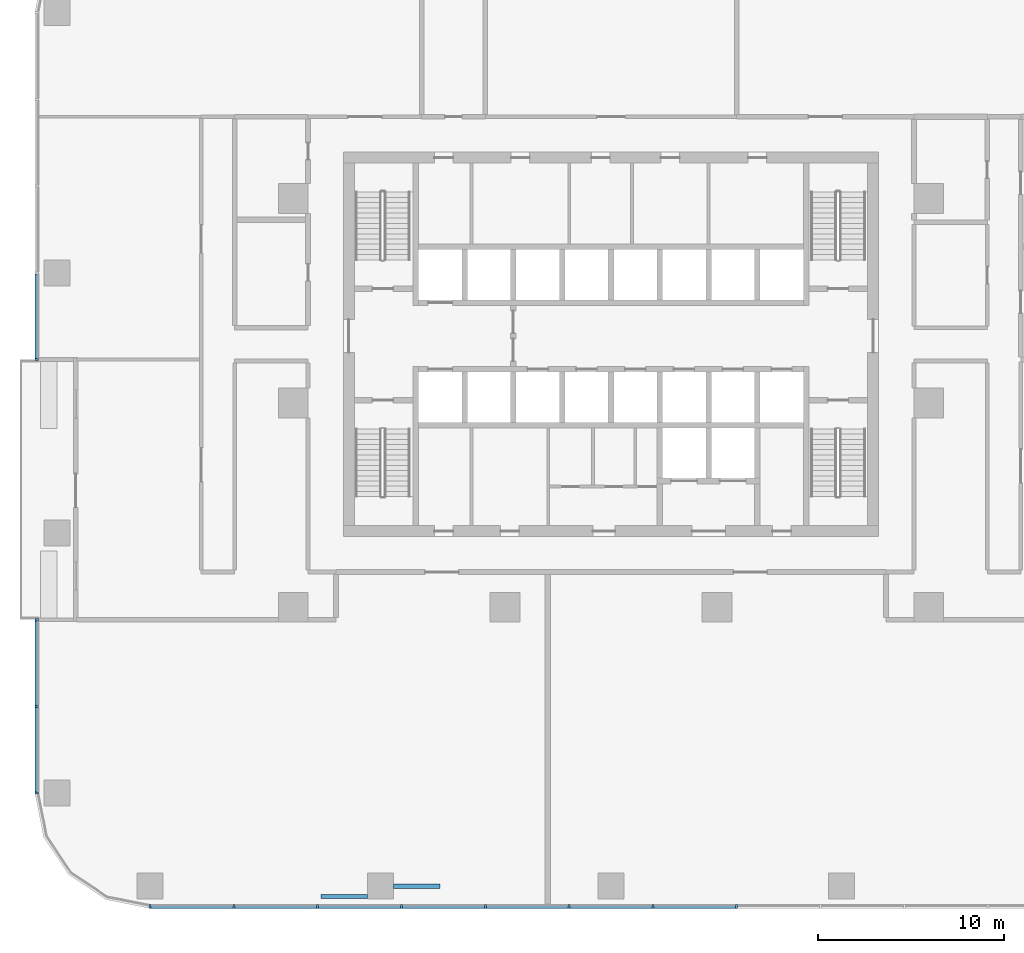
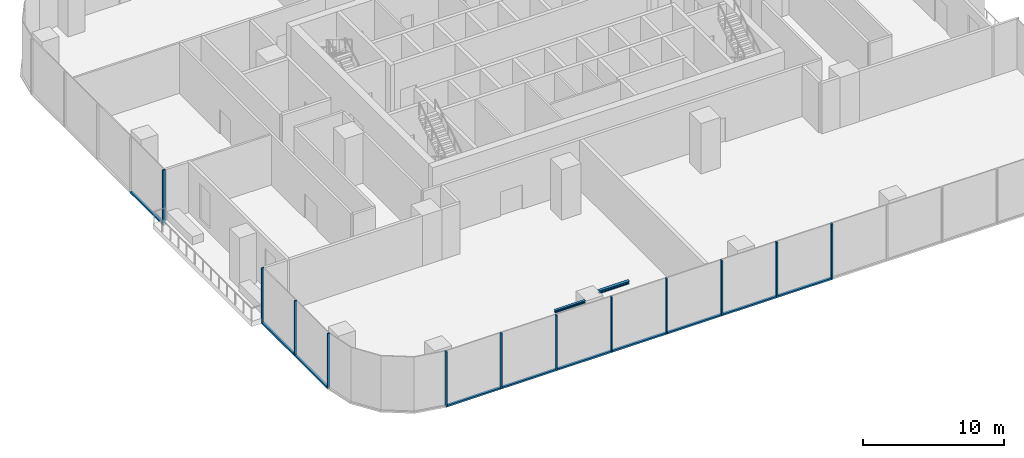
# One storey, part 2 of 14: 22 members, 2 beams, 3 elements without a shape of their own.
"""IFC4 building model written with IfcOpenShell, lengths in metres."""

from ifc_helpers import new_model, si_unit, direction, frame, origin, origin_2d, place, context, subcontext, project, spatial, rectangle, i_section, extrude, material, material_profile, profile_set, type_object, element, aggregate, save


model = new_model("IFC4")

# Units and contexts
model_context = context("Model", 3, precision=1e-05, world=origin(), true_north=direction((0.0, 1.0)))
body_context = subcontext(model_context, "Body", "Model", "MODEL_VIEW")
ifc_project = project(units=[si_unit("LENGTHUNIT", "METRE"), si_unit("AREAUNIT", "SQUARE_METRE"), si_unit("VOLUMEUNIT", "CUBIC_METRE"), si_unit("PLANEANGLEUNIT", "RADIAN"), si_unit("MASSUNIT", "GRAM", prefix="KILO")], contexts=[model_context])

# Site, building, storey
site_placement = place(None, origin())
site = spatial("IfcSite", under=ifc_project, at=site_placement, CompositionType="ELEMENT")
building_placement = place(site_placement, origin())
building = spatial("IfcBuilding", under=site, at=building_placement, Name="Mopane Tessera Tower", CompositionType="ELEMENT")
storey_placement = place(building_placement, frame((0.0, 0.0, 55.0)))
storey = spatial("IfcBuildingStorey", under=building, at=storey_placement, Name="L10", CompositionType="ELEMENT", Elevation=55.0)

# Curtain wall, members
ifc_material_1 = material(Name="Aluminium frame", Category="aluminium")
curtain_wall_type = type_object("IfcCurtainWallType", Name="Lower tower unitised wall", PredefinedType="NOTDEFINED", material=ifc_material_1)
curtain_wall_1_placement = place(storey_placement, origin())
curtain_wall_1 = element("IfcCurtainWall", 1, at=curtain_wall_1_placement, inside=storey, type_object=curtain_wall_type, Name="e:cw:L10:S:0", PredefinedType="NOTDEFINED")
ifc_material_2 = material(Name="Aluminium frame", Category="aluminium")
ifc_material_profile_1 = material_profile(ifc_material_2, rectangle(XDim=0.110107421875, YDim=0.199951171875, at=origin_2d()))
ifc_profile_set_1 = profile_set([ifc_material_profile_1], Name="Aluminium frame")
member_type_1 = type_object("IfcMemberType", Name="Aluminium mullion 110 x 200", PredefinedType="MULLION", material=ifc_profile_set_1)
member_1_placement = place(storey_placement, frame((-24.800048828125, -27.10009765625, -0.449951171875), z_axis=(0.0, 0.0, 1.0), x_axis=(1.0, 0.0, 0.0)))
member_1 = element("IfcMember", 2, at=member_1_placement, type_object=member_type_1, Name="e:cw:L10:S:0:mu0", PredefinedType="MULLION", context=body_context, shape_type="SweptSolid", body=[
    extrude(rectangle(XDim=0.110107421875, YDim=0.199951171875, at=origin_2d()), origin(), (0.0, 0.0, 1.0), 4.800048828125),
])
member_2_placement = place(storey_placement, frame((-20.291015625, -27.10009765625, -0.449951171875), z_axis=(0.0, 0.0, 1.0), x_axis=(1.0, 0.0, 0.0)))
member_2 = element("IfcMember", 3, at=member_2_placement, type_object=member_type_1, Name="e:cw:L10:S:0:mu1", PredefinedType="MULLION", context=body_context, shape_type="SweptSolid", body=[
    extrude(rectangle(XDim=0.110107421875, YDim=0.199951171875, at=origin_2d()), origin(), (0.0, 0.0, 1.0), 4.800048828125),
])
member_3_placement = place(storey_placement, frame((-15.78173828125, -27.10009765625, -0.449951171875), z_axis=(0.0, 0.0, 1.0), x_axis=(1.0, 0.0, 0.0)))
member_3 = element("IfcMember", 4, at=member_3_placement, type_object=member_type_1, Name="e:cw:L10:S:0:mu2", PredefinedType="MULLION", context=body_context, shape_type="SweptSolid", body=[
    extrude(rectangle(XDim=0.110107421875, YDim=0.199951171875, at=origin_2d()), origin(), (0.0, 0.0, 1.0), 4.800048828125),
])
member_4_placement = place(storey_placement, frame((-11.272705078125, -27.10009765625, -0.449951171875), z_axis=(0.0, 0.0, 1.0), x_axis=(1.0, 0.0, 0.0)))
member_4 = element("IfcMember", 5, at=member_4_placement, type_object=member_type_1, Name="e:cw:L10:S:0:mu3", PredefinedType="MULLION", context=body_context, shape_type="SweptSolid", body=[
    extrude(rectangle(XDim=0.110107421875, YDim=0.199951171875, at=origin_2d()), origin(), (0.0, 0.0, 1.0), 4.800048828125),
])
member_5_placement = place(storey_placement, frame((-6.763671875, -27.10009765625, -0.449951171875), z_axis=(0.0, 0.0, 1.0), x_axis=(1.0, 0.0, 0.0)))
member_5 = element("IfcMember", 6, at=member_5_placement, type_object=member_type_1, Name="e:cw:L10:S:0:mu4", PredefinedType="MULLION", context=body_context, shape_type="SweptSolid", body=[
    extrude(rectangle(XDim=0.110107421875, YDim=0.199951171875, at=origin_2d()), origin(), (0.0, 0.0, 1.0), 4.800048828125),
])
member_6_placement = place(storey_placement, frame((-2.254638671875, -27.10009765625, -0.449951171875), z_axis=(0.0, 0.0, 1.0), x_axis=(1.0, 0.0, 0.0)))
member_6 = element("IfcMember", 7, at=member_6_placement, type_object=member_type_1, Name="e:cw:L10:S:0:mu5", PredefinedType="MULLION", context=body_context, shape_type="SweptSolid", body=[
    extrude(rectangle(XDim=0.110107421875, YDim=0.199951171875, at=origin_2d()), origin(), (0.0, 0.0, 1.0), 4.800048828125),
])
member_7_placement = place(storey_placement, frame((2.254638671875, -27.10009765625, -0.449951171875), z_axis=(0.0, 0.0, 1.0), x_axis=(1.0, 0.0, 0.0)))
member_7 = element("IfcMember", 8, at=member_7_placement, type_object=member_type_1, Name="e:cw:L10:S:0:mu6", PredefinedType="MULLION", context=body_context, shape_type="SweptSolid", body=[
    extrude(rectangle(XDim=0.110107421875, YDim=0.199951171875, at=origin_2d()), origin(), (0.0, 0.0, 1.0), 4.800048828125),
])
member_8_placement = place(storey_placement, frame((6.763671875, -27.10009765625, -0.449951171875), z_axis=(0.0, 0.0, 1.0), x_axis=(1.0, 0.0, 0.0)))
member_8 = element("IfcMember", 9, at=member_8_placement, type_object=member_type_1, Name="e:cw:L10:S:0:mu7", PredefinedType="MULLION", context=body_context, shape_type="SweptSolid", body=[
    extrude(rectangle(XDim=0.110107421875, YDim=0.199951171875, at=origin_2d()), origin(), (0.0, 0.0, 1.0), 4.800048828125),
])

# Curtain wall, member
curtain_wall_2_placement = place(storey_placement, origin())
curtain_wall_2 = element("IfcCurtainWall", 10, at=curtain_wall_2_placement, inside=storey, type_object=curtain_wall_type, Name="e:cw:L10:W:0", PredefinedType="NOTDEFINED")
member_9_placement = place(storey_placement, frame((-30.89990234375, 2.333251953125, -0.449951171875), z_axis=(0.0, 0.0, 1.0), x_axis=(0.0, -1.0, 0.0)))
member_9 = element("IfcMember", 11, at=member_9_placement, type_object=member_type_1, Name="e:cw:L10:W:0:mu4", PredefinedType="MULLION", context=body_context, shape_type="SweptSolid", body=[
    extrude(rectangle(XDim=0.110107421875, YDim=0.199951171875, at=origin_2d()), origin(), (0.0, 0.0, 1.0), 4.800048828125),
])

# Curtain wall, members
curtain_wall_3_placement = place(storey_placement, origin())
curtain_wall_3 = element("IfcCurtainWall", 12, at=curtain_wall_3_placement, inside=storey, type_object=curtain_wall_type, Name="e:cw:L10:W:7", PredefinedType="NOTDEFINED")
member_10_placement = place(storey_placement, frame((-30.89990234375, -11.666748046875, -0.449951171875), z_axis=(0.0, 0.0, 1.0), x_axis=(0.0, -1.0, 0.0)))
member_10 = element("IfcMember", 13, at=member_10_placement, type_object=member_type_1, Name="e:cw:L10:W:7:mu7", PredefinedType="MULLION", context=body_context, shape_type="SweptSolid", body=[
    extrude(rectangle(XDim=0.110107421875, YDim=0.199951171875, at=origin_2d()), origin(), (0.0, 0.0, 1.0), 4.800048828125),
])
member_11_placement = place(storey_placement, frame((-30.89990234375, -16.333251953125, -0.449951171875), z_axis=(0.0, 0.0, 1.0), x_axis=(0.0, -1.0, 0.0)))
member_11 = element("IfcMember", 14, at=member_11_placement, type_object=member_type_1, Name="e:cw:L10:W:7:mu8", PredefinedType="MULLION", context=body_context, shape_type="SweptSolid", body=[
    extrude(rectangle(XDim=0.110107421875, YDim=0.199951171875, at=origin_2d()), origin(), (0.0, 0.0, 1.0), 4.800048828125),
])
member_12_placement = place(storey_placement, frame((-30.89990234375, -21.0, -0.449951171875), z_axis=(0.0, 0.0, 1.0), x_axis=(0.0, -1.0, 0.0)))
member_12 = element("IfcMember", 15, at=member_12_placement, type_object=member_type_1, Name="e:cw:L10:W:7:mu9", PredefinedType="MULLION", context=body_context, shape_type="SweptSolid", body=[
    extrude(rectangle(XDim=0.110107421875, YDim=0.199951171875, at=origin_2d()), origin(), (0.0, 0.0, 1.0), 4.800048828125),
])

# Member
ifc_material_3 = material(Name="Aluminium frame", Category="aluminium")
ifc_material_profile_2 = material_profile(ifc_material_3, rectangle(XDim=0.199951171875, YDim=0.139892578125, at=origin_2d()))
ifc_profile_set_2 = profile_set([ifc_material_profile_2], Name="Aluminium frame")
member_type_2 = type_object("IfcMemberType", Name="Aluminium transom 200 x 140", PredefinedType="USERDEFINED", material=ifc_profile_set_2)
member_13_placement = place(storey_placement, frame((-24.7451171875, -27.10009765625, -0.3798828125), z_axis=(1.0, 0.0, 0.0), x_axis=(0.0, 1.0, 0.0)))
member_13 = element("IfcMember", 16, at=member_13_placement, type_object=member_type_2, Name="e:cw:L10:S:0:tr0", ObjectType="TRANSOM", PredefinedType="USERDEFINED", context=body_context, shape_type="SweptSolid", body=[
    extrude(rectangle(XDim=0.199951171875, YDim=0.139892578125, at=origin_2d()), origin(), (0.0, 0.0, 1.0), 4.399169921875),
])

member_14_placement = place(storey_placement, frame((-20.23583984375, -27.10009765625, -0.3798828125), z_axis=(1.0, 0.0, 0.0), x_axis=(0.0, 1.0, 0.0)))
member_14 = element("IfcMember", 17, at=member_14_placement, type_object=member_type_2, Name="e:cw:L10:S:0:tr1", ObjectType="TRANSOM", PredefinedType="USERDEFINED", context=body_context, shape_type="SweptSolid", body=[
    extrude(rectangle(XDim=0.199951171875, YDim=0.139892578125, at=origin_2d()), origin(), (0.0, 0.0, 1.0), 4.39892578125),
])

member_15_placement = place(storey_placement, frame((-15.726806640625, -27.10009765625, -0.3798828125), z_axis=(1.0, 0.0, 0.0), x_axis=(0.0, 1.0, 0.0)))
member_15 = element("IfcMember", 18, at=member_15_placement, type_object=member_type_2, Name="e:cw:L10:S:0:tr2", ObjectType="TRANSOM", PredefinedType="USERDEFINED", context=body_context, shape_type="SweptSolid", body=[
    extrude(rectangle(XDim=0.199951171875, YDim=0.139892578125, at=origin_2d()), origin(), (0.0, 0.0, 1.0), 4.399169921875),
])

member_16_placement = place(storey_placement, frame((-11.2177734375, -27.10009765625, -0.3798828125), z_axis=(1.0, 0.0, 0.0), x_axis=(0.0, 1.0, 0.0)))
member_16 = element("IfcMember", 19, at=member_16_placement, type_object=member_type_2, Name="e:cw:L10:S:0:tr3", ObjectType="TRANSOM", PredefinedType="USERDEFINED", context=body_context, shape_type="SweptSolid", body=[
    extrude(rectangle(XDim=0.199951171875, YDim=0.139892578125, at=origin_2d()), origin(), (0.0, 0.0, 1.0), 4.399169921875),
])

member_17_placement = place(storey_placement, frame((-6.708740234375, -27.10009765625, -0.3798828125), z_axis=(1.0, 0.0, 0.0), x_axis=(0.0, 1.0, 0.0)))
member_17 = element("IfcMember", 20, at=member_17_placement, type_object=member_type_2, Name="e:cw:L10:S:0:tr4", ObjectType="TRANSOM", PredefinedType="USERDEFINED", context=body_context, shape_type="SweptSolid", body=[
    extrude(rectangle(XDim=0.199951171875, YDim=0.139892578125, at=origin_2d()), origin(), (0.0, 0.0, 1.0), 4.399169921875),
])

member_18_placement = place(storey_placement, frame((-2.199462890625, -27.10009765625, -0.3798828125), z_axis=(1.0, 0.0, 0.0), x_axis=(0.0, 1.0, 0.0)))
member_18 = element("IfcMember", 21, at=member_18_placement, type_object=member_type_2, Name="e:cw:L10:S:0:tr5", ObjectType="TRANSOM", PredefinedType="USERDEFINED", context=body_context, shape_type="SweptSolid", body=[
    extrude(rectangle(XDim=0.199951171875, YDim=0.139892578125, at=origin_2d()), origin(), (0.0, 0.0, 1.0), 4.39892578125),
])

member_19_placement = place(storey_placement, frame((2.3095703125, -27.10009765625, -0.3798828125), z_axis=(1.0, 0.0, 0.0), x_axis=(0.0, 1.0, 0.0)))
member_19 = element("IfcMember", 22, at=member_19_placement, type_object=member_type_2, Name="e:cw:L10:S:0:tr6", ObjectType="TRANSOM", PredefinedType="USERDEFINED", context=body_context, shape_type="SweptSolid", body=[
    extrude(rectangle(XDim=0.199951171875, YDim=0.139892578125, at=origin_2d()), origin(), (0.0, 0.0, 1.0), 4.399169921875),
])

aggregate(curtain_wall_1, [member_1, member_2, member_3, member_4, member_5, member_6, member_7, member_8, member_13, member_14, member_15, member_16, member_17, member_18, member_19])

member_20_placement = place(storey_placement, frame((-30.89990234375, 6.945068359375, -0.3798828125), z_axis=(0.0, -1.0, 0.0), x_axis=(1.0, 0.0, 0.0)))
member_20 = element("IfcMember", 23, at=member_20_placement, type_object=member_type_2, Name="e:cw:L10:W:0:tr3", ObjectType="TRANSOM", PredefinedType="USERDEFINED", context=body_context, shape_type="SweptSolid", body=[
    extrude(rectangle(XDim=0.199951171875, YDim=0.139892578125, at=origin_2d()), origin(), (0.0, 0.0, 1.0), 4.556640625),
])

aggregate(curtain_wall_2, [member_9, member_20])

member_21_placement = place(storey_placement, frame((-30.89990234375, -11.7216796875, -0.3798828125), z_axis=(0.0, -1.0, 0.0), x_axis=(1.0, 0.0, 0.0)))
member_21 = element("IfcMember", 24, at=member_21_placement, type_object=member_type_2, Name="e:cw:L10:W:7:tr7", ObjectType="TRANSOM", PredefinedType="USERDEFINED", context=body_context, shape_type="SweptSolid", body=[
    extrude(rectangle(XDim=0.199951171875, YDim=0.139892578125, at=origin_2d()), origin(), (0.0, 0.0, 1.0), 4.556640625),
])

member_22_placement = place(storey_placement, frame((-30.89990234375, -16.388427734375, -0.3798828125), z_axis=(0.0, -1.0, 0.0), x_axis=(1.0, 0.0, 0.0)))
member_22 = element("IfcMember", 25, at=member_22_placement, type_object=member_type_2, Name="e:cw:L10:W:7:tr8", ObjectType="TRANSOM", PredefinedType="USERDEFINED", context=body_context, shape_type="SweptSolid", body=[
    extrude(rectangle(XDim=0.199951171875, YDim=0.139892578125, at=origin_2d()), origin(), (0.0, 0.0, 1.0), 4.556640625),
])

aggregate(curtain_wall_3, [member_10, member_11, member_12, member_21, member_22])

# Beams
ifc_material_4 = material(Name="Structural steel S460", Category="steel")
ifc_material_profile_3 = material_profile(ifc_material_4, i_section(OverallWidth=0.239990234375, OverallDepth=0.239990234375, WebThickness=0.010009765625, FlangeThickness=0.01708984375, FilletRadius=0.02099609375, at=origin_2d()))
ifc_profile_set_3 = profile_set([ifc_material_profile_3], Name="Structural steel S460")
beam_type_1 = type_object("IfcBeamType", Name="Terrace spandrel beam HE 240 B", PredefinedType="SPANDREL", material=ifc_profile_set_3)
beam_1_placement = place(storey_placement, frame((-11.697021484375, -26.0, 4.22998046875), z_axis=(1.0, 0.0, 0.0), x_axis=(0.0, 1.0, 0.0)))
element("IfcBeam", 26, at=beam_1_placement, inside=storey, type_object=beam_type_1, Name="Terrace spandrel beam N3 L11", PredefinedType="SPANDREL", context=body_context, shape_type="SweptSolid", body=[
    extrude(i_section(OverallWidth=0.239990234375, OverallDepth=0.239990234375, WebThickness=0.010009765625, FlangeThickness=0.01708984375, FilletRadius=0.02099609375, at=origin_2d()), origin(), (0.0, 0.0, 1.0), 2.5),
])
ifc_material_5 = material(Name="Structural steel S460", Category="steel")
ifc_material_profile_4 = material_profile(ifc_material_5, i_section(OverallWidth=0.199951171875, OverallDepth=0.199951171875, WebThickness=0.009033203125, FlangeThickness=0.014892578125, FilletRadius=0.01806640625, at=origin_2d()))
ifc_profile_set_4 = profile_set([ifc_material_profile_4], Name="Structural steel S460")
beam_type_2 = type_object("IfcBeamType", Name="Terrace trimmer beam HE 200 B", PredefinedType="BEAM", material=ifc_profile_set_4)
beam_2_placement = place(storey_placement, frame((-13.102783203125, -26.56005859375, 4.25), z_axis=(-1.0, 0.0, 0.0), x_axis=(0.0, -1.0, 0.0)))
element("IfcBeam", 27, at=beam_2_placement, inside=storey, type_object=beam_type_2, Name="Terrace trimmer beam N3 L11", PredefinedType="BEAM", context=body_context, shape_type="SweptSolid", body=[
    extrude(i_section(OverallWidth=0.199951171875, OverallDepth=0.199951171875, WebThickness=0.009033203125, FlangeThickness=0.014892578125, FilletRadius=0.01806640625, at=origin_2d()), origin(), (0.0, 0.0, 1.0), 2.5),
])

save(model, "model.ifc")
